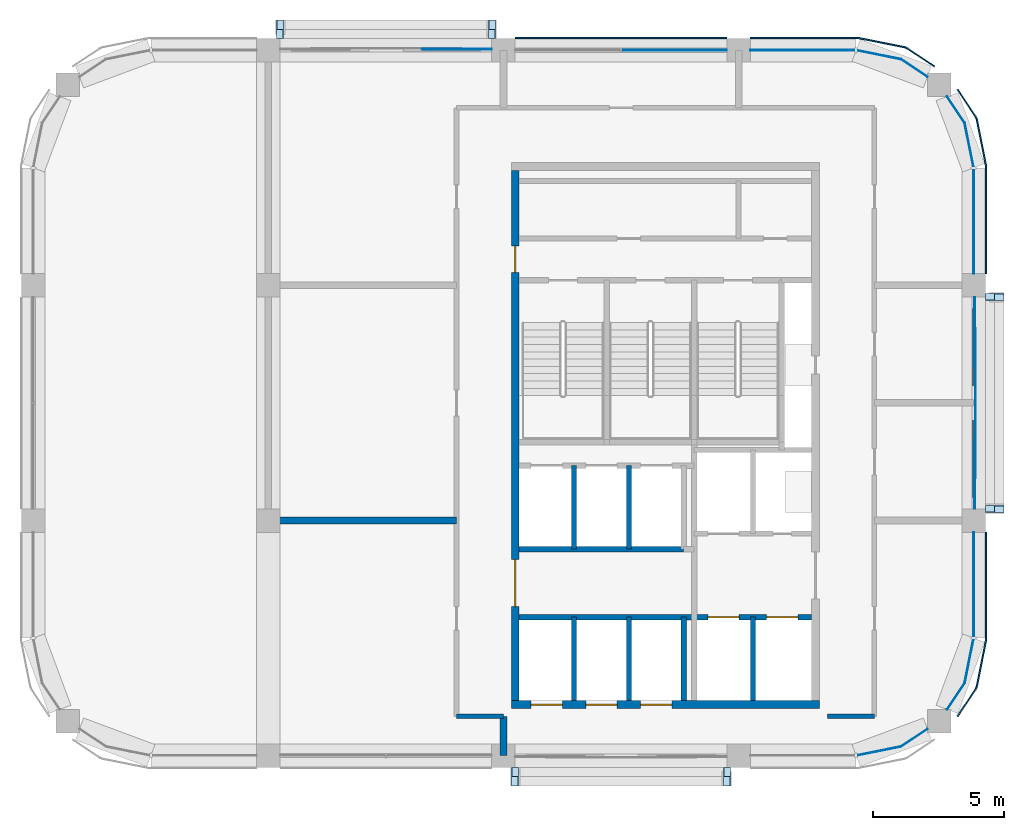
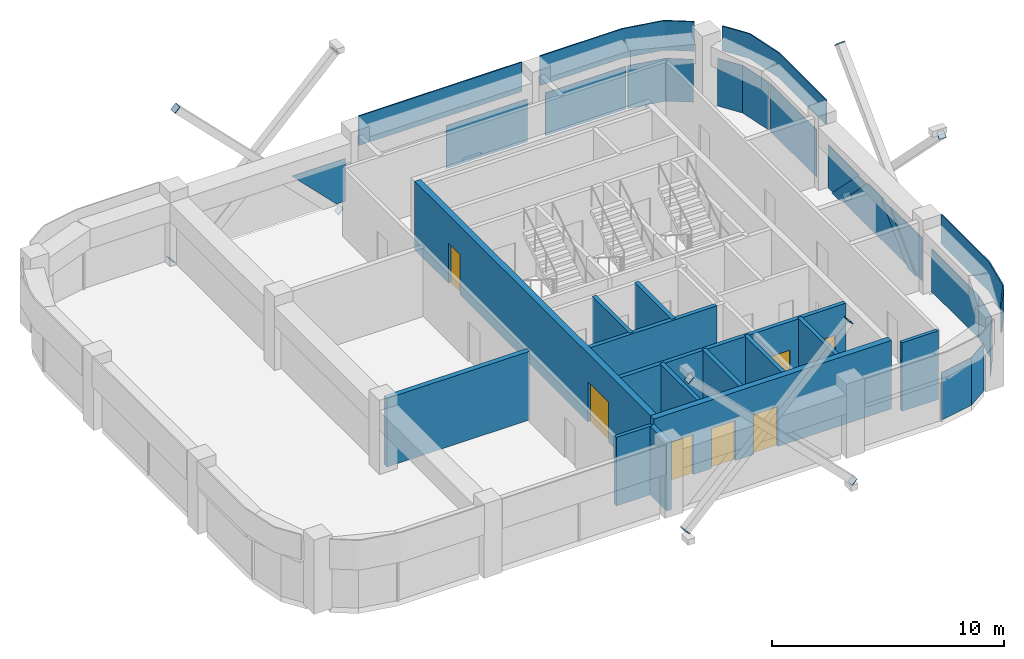
# One storey, part 6 of 9: 30 plates, 14 walls, 7 doors, 7 openings, 7 elements without a shape of their own.
"""IFC4 building model written with IfcOpenShell, lengths in metres."""

from ifc_helpers import new_model, si_unit, direction, frame, frame_2d, origin, origin_2d, place, context, subcontext, project, spatial, polyline, rectangle, outline, extrude, material, layer, layer_set, type_object, element, fill, aggregate, save


model = new_model("IFC4")

# Units and contexts
model_context = context("Model", 3, precision=1e-05, world=origin(), true_north=direction((0.0, 1.0)))
body_context = subcontext(model_context, "Body", "Model", "MODEL_VIEW")
ifc_project = project(units=[si_unit("LENGTHUNIT", "METRE"), si_unit("AREAUNIT", "SQUARE_METRE"), si_unit("VOLUMEUNIT", "CUBIC_METRE"), si_unit("PLANEANGLEUNIT", "RADIAN"), si_unit("MASSUNIT", "GRAM", prefix="KILO")], contexts=[model_context])

# Site, building, storey
site_placement = place(None, origin())
site = spatial("IfcSite", under=ifc_project, at=site_placement, CompositionType="ELEMENT")
building_placement = place(site_placement, origin())
building = spatial("IfcBuilding", under=site, at=building_placement, Name="Tessera Arch", CompositionType="ELEMENT")
storey_placement = place(building_placement, frame((0.0, 0.0, 316.800048828125)))
storey = spatial("IfcBuildingStorey", under=building, at=storey_placement, Name="L76", CompositionType="ELEMENT", Elevation=316.800048828125)

# Curtain wall, plates
ifc_material_1 = material(Name="CW1 curtain wall")
curtain_wall_type_1 = type_object("IfcCurtainWallType", Name="CW1 curtain wall", PredefinedType="NOTDEFINED", material=ifc_material_1)
curtain_wall_1_placement = place(storey_placement, origin())
curtain_wall_1 = element("IfcCurtainWall", 1, at=curtain_wall_1_placement, inside=storey, type_object=curtain_wall_type_1, Name="CW1 curtain wall N54.18/1 L76", PredefinedType="NOTDEFINED")
ifc_material_2 = material(Name="Clear low-e glass", Category="glass")
ifc_material_3 = material(Name="Clear low-e glass", Category="glass")
ifc_layer_1 = layer(ifc_material_3, 0.028076171875)
ifc_layer_set_1 = layer_set([ifc_layer_1], Name="CW1 glass panel")
plate_type_1 = type_object("IfcPlateType", Name="CW1 glass panel", PredefinedType="CURTAIN_PANEL", material=ifc_layer_set_1)
plate_1_placement = place(storey_placement, frame((42.5400390625, 54.0, 0.0), z_axis=(0.0, 0.0, 1.0), x_axis=(-1.0, 0.0, 0.0)))
plate_1 = element("IfcPlate", 2, at=plate_1_placement, type_object=plate_type_1, material=ifc_material_2, Name="CW1 glass panel N54.18/1 1.1.1", PredefinedType="CURTAIN_PANEL", context=body_context, shape_type="SweptSolid", body=[
    extrude(rectangle(XDim=4.02001953125, YDim=0.028076171875, at=origin_2d()), origin(), (0.0, 0.0, 1.0), 2.25),
])
ifc_material_4 = material(Name="Pale anodised aluminium panel", Category="aluminium")
ifc_layer_2 = layer(ifc_material_4, 0.06005859375)
ifc_layer_set_2 = layer_set([ifc_layer_2], Name="CW1 spandrel panel")
plate_type_2 = type_object("IfcPlateType", Name="CW1 spandrel panel", PredefinedType="CURTAIN_PANEL", material=ifc_layer_set_2)
plate_2_placement = place(storey_placement, frame((40.5, 54.47998046875, 2.35009765625), z_axis=(0.0, 0.0, 1.0), x_axis=(-1.0, 0.0, 0.0)))
plate_2 = element("IfcPlate", 3, at=plate_2_placement, type_object=plate_type_2, Name="CW1 spandrel panel N54.18/1", PredefinedType="CURTAIN_PANEL", context=body_context, shape_type="SweptSolid", body=[
    extrude(rectangle(XDim=8.10009765625, YDim=0.06005859375, at=origin_2d()), origin(), (0.0, 0.0, 1.0), 1.550048828125),
])
aggregate(curtain_wall_1, [plate_1, plate_2])

ifc_material_5 = material(Name="CW2 curtain wall")
curtain_wall_type_2 = type_object("IfcCurtainWallType", Name="CW2 curtain wall", PredefinedType="NOTDEFINED", material=ifc_material_5)
curtain_wall_2_placement = place(storey_placement, origin())
curtain_wall_2 = element("IfcCurtainWall", 4, at=curtain_wall_2_placement, inside=storey, type_object=curtain_wall_type_2, Name="CW2 curtain wall E54.27/1 L76", PredefinedType="NOTDEFINED")
ifc_material_6 = material(Name="Clear low-e glass", Category="glass")
ifc_layer_3 = layer(ifc_material_6, 0.028076171875)
ifc_layer_set_3 = layer_set([ifc_layer_3], Name="CW2 glass panel")
plate_type_3 = type_object("IfcPlateType", Name="CW2 glass panel", PredefinedType="CURTAIN_PANEL", material=ifc_layer_set_3)
plate_3_placement = place(storey_placement, frame((54.0, 47.455078125, 0.0), z_axis=(0.0, 0.0, 1.0), x_axis=(0.0, 1.0, 0.0)))
plate_3 = element("IfcPlate", 5, at=plate_3_placement, type_object=plate_type_3, material=ifc_material_2, Name="CW2 glass panel E54.27/1 1.1", PredefinedType="CURTAIN_PANEL", context=body_context, shape_type="SweptSolid", body=[
    extrude(rectangle(XDim=4.010009765625, YDim=0.028076171875, at=origin_2d()), origin(), (0.0, 0.0, 1.0), 2.5),
])
plate_4_placement = place(storey_placement, origin())
plate_4 = element("IfcPlate", 6, at=plate_4_placement, type_object=plate_type_3, material=ifc_material_2, Name="CW2 curved glass panel E54.27/1 2.1", PredefinedType="CURTAIN_PANEL", context=body_context, shape_type="SweptSolid", body=[
    extrude(outline(polyline([(53.644287109375, 51.216552734375), (53.978515625, 49.53662109375), (54.005859375, 49.5419921875), (53.670654296875, 51.2275390625), (52.994384765625, 52.23974609375), (52.970947265625, 52.22412109375), (53.644287109375, 51.216552734375)])), origin(), (0.0, 0.0, 1.0), 2.5),
])

curtain_wall_3_placement = place(storey_placement, origin())
curtain_wall_3 = element("IfcCurtainWall", 7, at=curtain_wall_3_placement, inside=storey, type_object=curtain_wall_type_2, Name="CW2 curtain wall N54.18/0 L76", PredefinedType="NOTDEFINED")
plate_5_placement = place(storey_placement, frame((47.455078125, 54.0, 0.0), z_axis=(0.0, 0.0, 1.0), x_axis=(-1.0, 0.0, 0.0)))
plate_5 = element("IfcPlate", 8, at=plate_5_placement, type_object=plate_type_3, material=ifc_material_2, Name="CW2 glass panel N54.18/0 1.1", PredefinedType="CURTAIN_PANEL", context=body_context, shape_type="SweptSolid", body=[
    extrude(rectangle(XDim=4.010009765625, YDim=0.028076171875, at=origin_2d()), origin(), (0.0, 0.0, 1.0), 2.25),
])
plate_6_placement = place(storey_placement, origin())
plate_6 = element("IfcPlate", 9, at=plate_6_placement, type_object=plate_type_3, material=ifc_material_2, Name="CW2 curved glass panel N54.18/0 2.1", PredefinedType="CURTAIN_PANEL", context=body_context, shape_type="SweptSolid", body=[
    extrude(outline(polyline([(51.216552734375, 53.644287109375), (52.22412109375, 52.970947265625), (52.23974609375, 52.994384765625), (51.2275390625, 53.670654296875), (49.5419921875, 54.005859375), (49.53662109375, 53.978515625), (51.216552734375, 53.644287109375)])), origin(), (0.0, 0.0, 1.0), 2.25),
])

# Curtain wall, plate
curtain_wall_4_placement = place(storey_placement, origin())
curtain_wall_4 = element("IfcCurtainWall", 10, at=curtain_wall_4_placement, inside=storey, type_object=curtain_wall_type_2, Name="CW2 curtain wall S27.18/3 L76", PredefinedType="NOTDEFINED")
plate_7_placement = place(storey_placement, origin())
plate_7 = element("IfcPlate", 11, at=plate_7_placement, type_object=plate_type_3, material=ifc_material_2, Name="CW2 curved glass panel S27.18/3 2.1", PredefinedType="CURTAIN_PANEL", context=body_context, shape_type="SweptSolid", body=[
    extrude(outline(polyline([(51.216552734375, 27.355712890625), (49.53662109375, 27.021484375), (49.5419921875, 26.994140625), (51.2275390625, 27.329345703125), (52.23974609375, 28.005615234375), (52.22412109375, 28.029052734375), (51.216552734375, 27.355712890625)])), origin(), (0.0, 0.0, 1.0), 2.5),
])
aggregate(curtain_wall_4, [plate_7])

# Curtain wall, plates
curtain_wall_5_placement = place(storey_placement, origin())
curtain_wall_5 = element("IfcCurtainWall", 12, at=curtain_wall_5_placement, inside=storey, type_object=curtain_wall_type_2, Name="CW2 curtain wall E54.27/2 L76", PredefinedType="NOTDEFINED")
plate_8_placement = place(storey_placement, frame((54.0, 33.544921875, 0.0), z_axis=(0.0, 0.0, 1.0), x_axis=(0.0, 1.0, 0.0)))
plate_8 = element("IfcPlate", 13, at=plate_8_placement, type_object=plate_type_3, material=ifc_material_2, Name="CW2 glass panel E54.27/2 1.1", PredefinedType="CURTAIN_PANEL", context=body_context, shape_type="SweptSolid", body=[
    extrude(rectangle(XDim=4.010009765625, YDim=0.028076171875, at=origin_2d()), origin(), (0.0, 0.0, 1.0), 2.25),
])
plate_9_placement = place(storey_placement, origin())
plate_9 = element("IfcPlate", 14, at=plate_9_placement, type_object=plate_type_3, material=ifc_material_2, Name="CW2 curved glass panel E54.27/2 2.1", PredefinedType="CURTAIN_PANEL", context=body_context, shape_type="SweptSolid", body=[
    extrude(outline(polyline([(53.644287109375, 29.783447265625), (52.970947265625, 28.77587890625), (52.994384765625, 28.76025390625), (53.670654296875, 29.7724609375), (54.005859375, 31.4580078125), (53.978515625, 31.46337890625), (53.644287109375, 29.783447265625)])), origin(), (0.0, 0.0, 1.0), 2.25),
])

# Plate
ifc_material_7 = material(Name="Pale anodised aluminium panel", Category="aluminium")
ifc_layer_4 = layer(ifc_material_7, 0.06005859375)
ifc_layer_set_4 = layer_set([ifc_layer_4], Name="CW2 spandrel panel")
plate_type_4 = type_object("IfcPlateType", Name="CW2 spandrel panel", PredefinedType="CURTAIN_PANEL", material=ifc_layer_set_4)
plate_10_placement = place(storey_placement, frame((0.0, 0.0, 2.599853515625)))
plate_10 = element("IfcPlate", 15, at=plate_10_placement, type_object=plate_type_4, Name="CW2 spandrel panel E54.27/1", PredefinedType="CURTAIN_PANEL", context=body_context, shape_type="SweptSolid", body=[
    extrude(outline(polyline([(54.449951171875, 49.499267578125), (54.449951171875, 45.449951171875), (54.510009765625, 45.449951171875), (54.510009765625, 49.500732421875), (54.507568359375, 49.550048828125), (54.500244140625, 49.598876953125), (54.157470703125, 51.322265625), (54.1455078125, 51.3701171875), (54.128662109375, 51.417236328125), (54.107421875, 51.462646484375), (54.08203125, 51.5048828125), (53.40673828125, 52.515380859375), (53.35693359375, 52.48193359375), (54.03125, 51.47265625), (54.054443359375, 51.434326171875), (54.0732421875, 51.394287109375), (54.088134765625, 51.352783203125), (54.09912109375, 51.30908203125), (54.441162109375, 49.588623046875), (54.44775390625, 49.544189453125), (54.449951171875, 49.499267578125)])), origin(), (0.0, 0.0, 1.0), 1.300048828125),
])

aggregate(curtain_wall_2, [plate_3, plate_4, plate_10])

plate_11_placement = place(storey_placement, frame((0.0, 0.0, 2.349853515625)))
plate_11 = element("IfcPlate", 16, at=plate_11_placement, type_object=plate_type_4, Name="CW2 spandrel panel N54.18/0", PredefinedType="CURTAIN_PANEL", context=body_context, shape_type="SweptSolid", body=[
    extrude(outline(polyline([(51.47265625, 54.03125), (52.48193359375, 53.35693359375), (52.515380859375, 53.40673828125), (51.5048828125, 54.08203125), (51.462646484375, 54.107421875), (51.417236328125, 54.128662109375), (51.3701171875, 54.1455078125), (51.322265625, 54.157470703125), (49.598876953125, 54.500244140625), (49.550048828125, 54.507568359375), (49.500732421875, 54.510009765625), (45.449951171875, 54.510009765625), (45.449951171875, 54.449951171875), (49.499267578125, 54.449951171875), (49.544189453125, 54.44775390625), (49.588623046875, 54.441162109375), (51.30908203125, 54.09912109375), (51.352783203125, 54.088134765625), (51.394287109375, 54.0732421875), (51.434326171875, 54.054443359375), (51.47265625, 54.03125)])), origin(), (0.0, 0.0, 1.0), 1.550048828125),
])

aggregate(curtain_wall_3, [plate_5, plate_6, plate_11])

plate_12_placement = place(storey_placement, frame((0.0, 0.0, 2.349853515625)))
plate_12 = element("IfcPlate", 17, at=plate_12_placement, type_object=plate_type_4, Name="CW2 spandrel panel E54.27/2", PredefinedType="CURTAIN_PANEL", context=body_context, shape_type="SweptSolid", body=[
    extrude(outline(polyline([(54.03125, 29.52734375), (53.35693359375, 28.51806640625), (53.40673828125, 28.484619140625), (54.08203125, 29.4951171875), (54.107421875, 29.537353515625), (54.128662109375, 29.582763671875), (54.1455078125, 29.6298828125), (54.157470703125, 29.677734375), (54.500244140625, 31.401123046875), (54.507568359375, 31.449951171875), (54.510009765625, 31.499267578125), (54.510009765625, 35.550048828125), (54.449951171875, 35.550048828125), (54.449951171875, 31.500732421875), (54.44775390625, 31.455810546875), (54.441162109375, 31.411376953125), (54.09912109375, 29.69091796875), (54.088134765625, 29.647216796875), (54.0732421875, 29.605712890625), (54.054443359375, 29.565673828125), (54.03125, 29.52734375)])), origin(), (0.0, 0.0, 1.0), 1.550048828125),
])

aggregate(curtain_wall_5, [plate_8, plate_9, plate_12])

# Curtain wall, plates
ifc_material_8 = material(Name="CW3 curtain wall")
curtain_wall_type_3 = type_object("IfcCurtainWallType", Name="CW3 curtain wall", PredefinedType="NOTDEFINED", material=ifc_material_8)
curtain_wall_6_placement = place(storey_placement, origin())
curtain_wall_6 = element("IfcCurtainWall", 18, at=curtain_wall_6_placement, inside=storey, type_object=curtain_wall_type_3, Name="CW3 curtain wall E54.27/0 L76", PredefinedType="NOTDEFINED")
ifc_material_9 = material(Name="Pale anodised aluminium panel", Category="aluminium")
ifc_layer_5 = layer(ifc_material_9, 0.06005859375)
ifc_layer_set_5 = layer_set([ifc_layer_5], Name="CW3 diagonal panel")
plate_type_5 = type_object("IfcPlateType", Name="CW3 diagonal panel", PredefinedType="CURTAIN_PANEL", material=ifc_layer_set_5)
plate_13_placement = place(storey_placement, frame((54.030029296875, 41.874755859375, 2.25), z_axis=(1.0, 0.0, 0.0), x_axis=(0.0, -1.0, 0.0)))
plate_13 = element("IfcPlate", 19, at=plate_13_placement, type_object=plate_type_5, Name="CW3 diagonal panel E54.27/0 1", PredefinedType="CURTAIN_PANEL", context=body_context, shape_type="SweptSolid", body=[
    extrude(outline(polyline([(0.0, 0.0), (0.7119140625, 0.0), (-1.524169921875, 2.25), (-2.236083984375, 2.25), (0.0, 0.0)])), origin(), (0.0, 0.0, -1.0), 0.06005859375),
])
plate_14_placement = place(storey_placement, frame((54.030029296875, 39.837158203125, 2.25), z_axis=(1.0, 0.0, 0.0), x_axis=(0.0, -1.0, 0.0)))
plate_14 = element("IfcPlate", 20, at=plate_14_placement, type_object=plate_type_5, Name="CW3 diagonal panel E54.27/0 2", PredefinedType="CURTAIN_PANEL", context=body_context, shape_type="SweptSolid", body=[
    extrude(outline(polyline([(0.0, 0.0), (0.7119140625, 0.0), (2.947998046875, 2.25), (2.236083984375, 2.25), (0.0, 0.0)])), origin(), (0.0, 0.0, -1.0), 0.06005859375),
])
ifc_material_10 = material(Name="Clear low-e glass", Category="glass")
ifc_layer_6 = layer(ifc_material_10, 0.028076171875)
ifc_layer_set_6 = layer_set([ifc_layer_6], Name="CW3 glass panel")
plate_type_6 = type_object("IfcPlateType", Name="CW3 glass panel", PredefinedType="CURTAIN_PANEL", material=ifc_layer_set_6)
plate_15_placement = place(storey_placement, frame((54.05810546875, 36.449951171875, 0.0), z_axis=(1.0, 0.0, 0.0), x_axis=(0.0, 1.0, 0.0)))
plate_15 = element("IfcPlate", 21, at=plate_15_placement, type_object=plate_type_6, material=ifc_material_2, Name="CW3 triangulated glass panel E54.27/0 1", PredefinedType="CURTAIN_PANEL", context=body_context, shape_type="SweptSolid", body=[
    extrude(outline(polyline([(0.0, 0.0), (0.439208984375, 0.0), (2.67529296875, 2.25), (0.0, 2.25), (0.0, 0.0)])), origin(), (0.0, 0.0, -1.0), 0.028076171875),
])
plate_16_placement = place(storey_placement, frame((54.0859375, 41.162841796875, 2.25), z_axis=(1.0, 0.0, 0.0), x_axis=(0.0, -1.0, 0.0)))
plate_16 = element("IfcPlate", 22, at=plate_16_placement, type_object=plate_type_6, material=ifc_material_2, Name="CW3 triangulated glass panel E54.27/0 2", PredefinedType="CURTAIN_PANEL", context=body_context, shape_type="SweptSolid", body=[
    extrude(outline(polyline([(0.0, 0.0), (1.32568359375, 0.0), (3.561767578125, 2.25), (-2.236083984375, 2.25), (0.0, 0.0)])), origin(), (0.0, 0.0, -1.0), 0.028076171875),
])
plate_17_placement = place(storey_placement, frame((54.05810546875, 44.550048828125, 2.25), z_axis=(1.0, 0.0, 0.0), x_axis=(0.0, -1.0, 0.0)))
plate_17 = element("IfcPlate", 23, at=plate_17_placement, type_object=plate_type_6, material=ifc_material_2, Name="CW3 triangulated glass panel E54.27/0 3", PredefinedType="CURTAIN_PANEL", context=body_context, shape_type="SweptSolid", body=[
    extrude(outline(polyline([(0.0, 0.0), (2.67529296875, 0.0), (0.439208984375, 2.25), (0.0, 2.25), (0.0, 0.0)])), origin(), (0.0, 0.0, -1.0), 0.028076171875),
])
aggregate(curtain_wall_6, [plate_15, plate_16, plate_17, plate_13, plate_14])

# Curtain wall, plate
curtain_wall_7_placement = place(storey_placement, origin())
curtain_wall_7 = element("IfcCurtainWall", 24, at=curtain_wall_7_placement, inside=storey, type_object=curtain_wall_type_3, Name="CW3 curtain wall N54.18/2 L76", PredefinedType="NOTDEFINED")
plate_18_placement = place(storey_placement, frame((35.550048828125, 54.05810546875, 0.0), z_axis=(0.0, 1.0, 0.0), x_axis=(-1.0, 0.0, 0.0)))
plate_18 = element("IfcPlate", 25, at=plate_18_placement, type_object=plate_type_6, material=ifc_material_2, Name="CW3 triangulated glass panel N54.18/2 1", PredefinedType="CURTAIN_PANEL", context=body_context, shape_type="SweptSolid", body=[
    extrude(outline(polyline([(0.0, 0.0), (0.439208984375, 0.0), (2.67529296875, 2.25), (0.0, 2.25), (0.0, 0.0)])), origin(), (0.0, 0.0, -1.0), 0.028076171875),
])
aggregate(curtain_wall_7, [plate_18])

# Plates
ifc_material_11 = material(Name="Steel A572 Gr50", Category="steel")
ifc_layer_7 = layer(ifc_material_11, 0.02490234375)
ifc_layer_set_7 = layer_set([ifc_layer_7], Name="End plate HSS14x14x1/2")
plate_type_7 = type_object("IfcPlateType", Name="End plate HSS14x14x1/2", PredefinedType="SHEET", material=ifc_layer_set_7)
for number, where, z_axis, x_axis, name in (
    (26, (54.627685546875, 36.432373046875, -0.81787109375), (0.0, 0.702213483406, 0.711966448453), (-1.0, 0.0, 0.0), "End plate HSS14x14x1/2 E54.27-0 A1 L76"),
    (27, (54.627685546875, 44.550048828125, 7.349853515625), (0.0, 0.702213483406, 0.711966448453), (-1.0, 0.0, 0.0), "End plate HSS14x14x1/2 E54.27-0 A2 L76"),
    (28, (54.9833984375, 44.567626953125, -0.81787109375), (0.0, -0.702213483406, 0.711966448453), (1.0, 0.0, 0.0), "End plate HSS14x14x1/2 E54.27-0 B1 L76"),
    (29, (54.9833984375, 36.449951171875, 7.349853515625), (0.0, -0.702213483406, 0.711966448453), (1.0, 0.0, 0.0), "End plate HSS14x14x1/2 E54.27-0 B2 L76"),
    (30, (35.567626953125, 54.627685546875, -0.81787109375), (-0.702213483406, 0.0, 0.711966448453), (0.0, -1.0, 0.0), "End plate HSS14x14x1/2 N54.18-2 A1 L76"),
    (31, (27.449951171875, 54.627685546875, 7.349853515625), (-0.702213483406, 0.0, 0.711966448453), (0.0, -1.0, 0.0), "End plate HSS14x14x1/2 N54.18-2 A2 L76"),
    (32, (27.432373046875, 54.9833984375, -0.81787109375), (0.702213483406, 0.0, 0.711966448453), (0.0, 1.0, 0.0), "End plate HSS14x14x1/2 N54.18-2 B1 L76"),
    (33, (35.550048828125, 54.9833984375, 7.349853515625), (0.702213483406, 0.0, 0.711966448453), (0.0, 1.0, 0.0), "End plate HSS14x14x1/2 N54.18-2 B2 L76"),
    (34, (36.432373046875, 26.372314453125, -0.81787109375), (0.702213483406, 0.0, 0.711966448453), (0.0, 1.0, 0.0), "End plate HSS14x14x1/2 S27.18-2 A1 L76"),
    (35, (44.550048828125, 26.372314453125, 7.349853515625), (0.702213483406, 0.0, 0.711966448453), (0.0, 1.0, 0.0), "End plate HSS14x14x1/2 S27.18-2 A2 L76"),
    (36, (44.567626953125, 26.0166015625, -0.81787109375), (-0.702213483406, 0.0, 0.711966448453), (0.0, -1.0, 0.0), "End plate HSS14x14x1/2 S27.18-2 B1 L76"),
    (37, (36.449951171875, 26.0166015625, 7.349853515625), (-0.702213483406, 0.0, 0.711966448453), (0.0, -1.0, 0.0), "End plate HSS14x14x1/2 S27.18-2 B2 L76"),
):
    element("IfcPlate", number, at=place(storey_placement, frame(where, z_axis=z_axis, x_axis=x_axis)), inside=storey, type_object=plate_type_7, Name=name, PredefinedType="SHEET", context=body_context, shape_type="SweptSolid", body=[
        extrude(rectangle(XDim=0.355712890625, YDim=0.355712890625, at=origin_2d()), origin(), (0.0, 0.0, 1.0), 0.025146484375),
    ])

# Wall, openings, doors
ifc_material_12 = material(Name="Concrete C50/60", Category="concrete")
ifc_layer_8 = layer(ifc_material_12, 0.300048828125)
ifc_layer_set_8 = layer_set([ifc_layer_8], Name="Core shell wall 300 C50-60")
wall_type_1 = type_object("IfcWallType", Name="Core shell wall 300 C50-60", PredefinedType="SHEAR", material=ifc_layer_set_8)
wall_1_placement = place(storey_placement, frame((36.300048828125, 28.949951171875, 0.0), z_axis=(0.0, 0.0, 1.0), x_axis=(1.0, 0.0, 0.0)))
wall_1 = element("IfcWall", 38, at=wall_1_placement, inside=storey, type_object=wall_type_1, Name="L76 C1 core wall S", PredefinedType="SHEAR", context=body_context, shape_type="SweptSolid", body=[
    extrude(rectangle(XDim=11.800048828125, YDim=0.300048828125, at=frame_2d((5.89990234375, 0.0))), origin(), (0.0, 0.0, 1.0), 3.599853515625),
])
opening_1_placement = place(wall_1_placement, frame((0.75, 0.0, 0.0)))
opening_1 = element("IfcOpeningElement", 39, at=opening_1_placement, cuts=wall_1, Name="Opening L76-C01", PredefinedType="OPENING", context=body_context, shape_type="SweptSolid", body=[
    extrude(rectangle(XDim=1.199951171875, YDim=2.10009765625, at=frame_2d((0.60009765625, 1.050048828125))), frame((0.0, 0.159912109375, 0.0), z_axis=(0.0, -1.0, 0.0), x_axis=(1.0, 0.0, 0.0)), (0.0, 0.0, 1.0), 0.320068359375),
])
opening_2_placement = place(wall_1_placement, frame((2.85009765625, 0.0, 0.0)))
opening_2 = element("IfcOpeningElement", 40, at=opening_2_placement, cuts=wall_1, Name="Opening L76-C03", PredefinedType="OPENING", context=body_context, shape_type="SweptSolid", body=[
    extrude(rectangle(XDim=1.199951171875, YDim=2.10009765625, at=frame_2d((0.60009765625, 1.050048828125))), frame((0.0, 0.159912109375, 0.0), z_axis=(0.0, -1.0, 0.0), x_axis=(1.0, 0.0, 0.0)), (0.0, 0.0, 1.0), 0.320068359375),
])
opening_3_placement = place(wall_1_placement, frame((4.949951171875, 0.0, 0.0)))
opening_3 = element("IfcOpeningElement", 41, at=opening_3_placement, cuts=wall_1, Name="Opening L76-C05", PredefinedType="OPENING", context=body_context, shape_type="SweptSolid", body=[
    extrude(rectangle(XDim=1.199951171875, YDim=2.10009765625, at=frame_2d((0.60009765625, 1.050048828125))), frame((0.0, 0.159912109375, 0.0), z_axis=(0.0, -1.0, 0.0), x_axis=(1.0, 0.0, 0.0)), (0.0, 0.0, 1.0), 0.320068359375),
])
ifc_material_13 = material(Name="Stainless steel AISI 304", Category="steel")
door_type_1 = type_object("IfcDoorType", Name="Sliding landing door 1200 x 2100", OperationType="SLIDING_TO_LEFT", PredefinedType="DOOR", material=ifc_material_13)
door_1_placement = place(opening_1_placement, origin())
door_1 = element("IfcDoor", 42, at=door_1_placement, inside=storey, type_object=door_type_1, Name="L76 HR1 lift landing door C01 type LD", OperationType="SLIDING_TO_LEFT", OverallHeight=2.10009765625, OverallWidth=1.199951171875, PredefinedType="DOOR", context=body_context, shape_type="SweptSolid", body=[
    extrude(rectangle(XDim=1.199951171875, YDim=2.10009765625, at=frame_2d((0.60009765625, 1.050048828125))), frame((0.0, 0.02490234375, 0.0), z_axis=(0.0, -1.0, 0.0), x_axis=(1.0, 0.0, 0.0)), (0.0, 0.0, 1.0), 0.050048828125),
])
fill(opening_1, door_1)
door_2_placement = place(opening_2_placement, origin())
door_2 = element("IfcDoor", 43, at=door_2_placement, inside=storey, type_object=door_type_1, Name="L76 HR2 lift landing door C03 type LD", OperationType="SLIDING_TO_LEFT", OverallHeight=2.10009765625, OverallWidth=1.199951171875, PredefinedType="DOOR", context=body_context, shape_type="SweptSolid", body=[
    extrude(rectangle(XDim=1.199951171875, YDim=2.10009765625, at=frame_2d((0.60009765625, 1.050048828125))), frame((0.0, 0.02490234375, 0.0), z_axis=(0.0, -1.0, 0.0), x_axis=(1.0, 0.0, 0.0)), (0.0, 0.0, 1.0), 0.050048828125),
])
fill(opening_2, door_2)
door_3_placement = place(opening_3_placement, origin())
door_3 = element("IfcDoor", 44, at=door_3_placement, inside=storey, type_object=door_type_1, Name="L76 HR3 lift landing door C05 type LD", OperationType="SLIDING_TO_LEFT", OverallHeight=2.10009765625, OverallWidth=1.199951171875, PredefinedType="DOOR", context=body_context, shape_type="SweptSolid", body=[
    extrude(rectangle(XDim=1.199951171875, YDim=2.10009765625, at=frame_2d((0.60009765625, 1.050048828125))), frame((0.0, 0.02490234375, 0.0), z_axis=(0.0, -1.0, 0.0), x_axis=(1.0, 0.0, 0.0)), (0.0, 0.0, 1.0), 0.050048828125),
])
fill(opening_3, door_3)

wall_2_placement = place(storey_placement, frame((36.449951171875, 29.10009765625, 0.0), z_axis=(0.0, 0.0, 1.0), x_axis=(0.0, 1.0, 0.0)))
wall_2 = element("IfcWall", 45, at=wall_2_placement, inside=storey, type_object=wall_type_1, Name="L76 C1 core wall W", PredefinedType="SHEAR", context=body_context, shape_type="SweptSolid", body=[
    extrude(rectangle(XDim=20.2998046875, YDim=0.300048828125, at=frame_2d((10.14990234375, 0.0))), origin(), (0.0, 0.0, 1.0), 3.599853515625),
])
opening_4_placement = place(wall_2_placement, frame((3.60009765625, 0.0, 0.0)))
opening_4 = element("IfcOpeningElement", 46, at=opening_4_placement, cuts=wall_2, Name="Opening L76-C10", PredefinedType="OPENING", context=body_context, shape_type="SweptSolid", body=[
    extrude(rectangle(XDim=1.800048828125, YDim=2.10009765625, at=frame_2d((0.89990234375, 1.050048828125))), frame((0.0, 0.159912109375, 0.0), z_axis=(0.0, -1.0, 0.0), x_axis=(1.0, 0.0, 0.0)), (0.0, 0.0, 1.0), 0.320068359375),
])
opening_5_placement = place(wall_2_placement, frame((16.39990234375, 0.0, 0.0)))
opening_5 = element("IfcOpeningElement", 47, at=opening_5_placement, cuts=wall_2, Name="Opening L76-C17", PredefinedType="OPENING", context=body_context, shape_type="SweptSolid", body=[
    extrude(rectangle(XDim=1.0, YDim=2.10009765625, at=frame_2d((0.5, 1.050048828125))), frame((0.0, 0.159912109375, 0.0), z_axis=(0.0, -1.0, 0.0), x_axis=(1.0, 0.0, 0.0)), (0.0, 0.0, 1.0), 0.320068359375),
])
ifc_material_14 = material(Name="Steel door leaf", Category="steel")
door_type_2 = type_object("IfcDoorType", Name="Corridor door FD60 1000 x 2100", OperationType="SINGLE_SWING_LEFT", PredefinedType="DOOR", material=ifc_material_14)
door_4_placement = place(opening_5_placement, origin())
door_4 = element("IfcDoor", 48, at=door_4_placement, inside=storey, type_object=door_type_2, Name="L76 C1 door 17 C17 type D12", OperationType="SINGLE_SWING_RIGHT", OverallHeight=2.10009765625, OverallWidth=1.0, PredefinedType="DOOR", context=body_context, shape_type="SweptSolid", body=[
    extrude(rectangle(XDim=1.0, YDim=2.10009765625, at=frame_2d((0.5, 1.050048828125))), frame((0.0, 0.02490234375, 0.0), z_axis=(0.0, -1.0, 0.0), x_axis=(1.0, 0.0, 0.0)), (0.0, 0.0, 1.0), 0.050048828125),
])
fill(opening_5, door_4)
ifc_material_15 = material(Name="Glazed steel door leaf", Category="steel")
door_type_3 = type_object("IfcDoorType", Name="Lobby double door FD30S 1800 x 2100", OperationType="DOUBLE_DOOR_SINGLE_SWING", PredefinedType="DOOR", material=ifc_material_15)
door_5_placement = place(opening_4_placement, origin())
door_5 = element("IfcDoor", 49, at=door_5_placement, inside=storey, type_object=door_type_3, Name="L76 C1 door 10 C10 type D06", OperationType="DOUBLE_DOOR_SINGLE_SWING", OverallHeight=2.10009765625, OverallWidth=1.800048828125, PredefinedType="DOOR", context=body_context, shape_type="SweptSolid", body=[
    extrude(rectangle(XDim=1.800048828125, YDim=2.10009765625, at=frame_2d((0.89990234375, 1.050048828125))), frame((0.0, 0.02490234375, 0.0), z_axis=(0.0, -1.0, 0.0), x_axis=(1.0, 0.0, 0.0)), (0.0, 0.0, 1.0), 0.050048828125),
])
fill(opening_4, door_5)

# Walls
ifc_material_16 = material(Name="Gypsum board on deep steel stud with mineral wool", Category="steel")
ifc_layer_9 = layer(ifc_material_16, 0.175048828125)
ifc_layer_set_9 = layer_set([ifc_layer_9], Name="Corridor wall 175 EI 60")
wall_type_2 = type_object("IfcWallType", Name="Corridor wall 175 EI 60", PredefinedType="PARTITIONING", material=ifc_layer_set_9)
for number, where, z_axis, x_axis, name in (
    (50, (34.199951171875, 28.5, 0.0), (0.0, 0.0, 1.0), (1.0, 0.0, 0.0), "L76 partition 1"),
    (51, (48.39990234375, 28.5, 0.0), (0.0, 0.0, 1.0), (1.0, 0.0, 0.0), "L76 partition 2"),
):
    element("IfcWall", number, at=place(storey_placement, frame(where, z_axis=z_axis, x_axis=x_axis)), inside=storey, type_object=wall_type_2, Name=name, PredefinedType="PARTITIONING", context=body_context, shape_type="SweptSolid", body=[
        extrude(rectangle(XDim=1.800048828125, YDim=0.175048828125, at=frame_2d((0.89990234375, 0.0))), origin(), (0.0, 0.0, 1.0), 3.599853515625),
    ])
ifc_material_17 = material(Name="Double gypsum board on twin steel stud with acoustic mineral wool", Category="steel")
ifc_layer_10 = layer(ifc_material_17, 0.25)
ifc_layer_set_10 = layer_set([ifc_layer_10], Name="Party wall 250 EI 60")
wall_type_3 = type_object("IfcWallType", Name="Party wall 250 EI 60", PredefinedType="PARTITIONING", material=ifc_layer_set_10)
wall_3_placement = place(storey_placement, frame((27.125, 36.0, 0.0), z_axis=(0.0, 0.0, 1.0), x_axis=(1.0, 0.0, 0.0)))
element("IfcWall", 52, at=wall_3_placement, inside=storey, type_object=wall_type_3, Name="L76 partition 6", PredefinedType="PARTITIONING", context=body_context, shape_type="SweptSolid", body=[
    extrude(rectangle(XDim=7.074951171875, YDim=0.25, at=frame_2d((3.53759765625, 0.0))), origin(), (0.0, 0.0, 1.0), 3.599853515625),
])
wall_4_placement = place(storey_placement, frame((36.0, 27.0, 0.0), z_axis=(0.0, 0.0, 1.0), x_axis=(0.0, 1.0, 0.0)))
element("IfcWall", 53, at=wall_4_placement, inside=storey, type_object=wall_type_3, Name="L76 partition 12", PredefinedType="PARTITIONING", context=body_context, shape_type="SweptSolid", body=[
    extrude(rectangle(XDim=1.5, YDim=0.25, at=frame_2d((0.75, 0.0))), origin(), (0.0, 0.0, 1.0), 3.599853515625),
])
ifc_material_18 = material(Name="Concrete C40/50", Category="concrete")
ifc_layer_11 = layer(ifc_material_18, 0.199951171875)
ifc_layer_set_11 = layer_set([ifc_layer_11], Name="Shaft wall 200 EI 120")
wall_type_4 = type_object("IfcWallType", Name="Shaft wall 200 EI 120", PredefinedType="SOLIDWALL", material=ifc_layer_set_11)
wall_5_placement = place(storey_placement, frame((38.699951171875, 29.10009765625, 0.0), z_axis=(0.0, 0.0, 1.0), x_axis=(0.0, 1.0, 0.0)))
element("IfcWall", 54, at=wall_5_placement, inside=storey, type_object=wall_type_4, Name="L76 C1 shaft wall 1", PredefinedType="SOLIDWALL", context=body_context, shape_type="SweptSolid", body=[
    extrude(rectangle(XDim=3.199951171875, YDim=0.199951171875, at=frame_2d((1.60009765625, 0.0))), origin(), (0.0, 0.0, 1.0), 3.599853515625),
])
wall_6_placement = place(storey_placement, frame((38.699951171875, 34.89990234375, 0.0), z_axis=(0.0, 0.0, 1.0), x_axis=(0.0, 1.0, 0.0)))
element("IfcWall", 55, at=wall_6_placement, inside=storey, type_object=wall_type_4, Name="L76 C1 shaft wall 2", PredefinedType="SOLIDWALL", context=body_context, shape_type="SweptSolid", body=[
    extrude(rectangle(XDim=3.2001953125, YDim=0.199951171875, at=frame_2d((1.60009765625, 0.0))), origin(), (0.0, 0.0, 1.0), 3.599853515625),
])
wall_7_placement = place(storey_placement, frame((40.800048828125, 29.10009765625, 0.0), z_axis=(0.0, 0.0, 1.0), x_axis=(0.0, 1.0, 0.0)))
element("IfcWall", 56, at=wall_7_placement, inside=storey, type_object=wall_type_4, Name="L76 C1 shaft wall 5", PredefinedType="SOLIDWALL", context=body_context, shape_type="SweptSolid", body=[
    extrude(rectangle(XDim=3.199951171875, YDim=0.199951171875, at=frame_2d((1.60009765625, 0.0))), origin(), (0.0, 0.0, 1.0), 3.599853515625),
])
wall_8_placement = place(storey_placement, frame((40.800048828125, 34.89990234375, 0.0), z_axis=(0.0, 0.0, 1.0), x_axis=(0.0, 1.0, 0.0)))
element("IfcWall", 57, at=wall_8_placement, inside=storey, type_object=wall_type_4, Name="L76 C1 shaft wall 6", PredefinedType="SOLIDWALL", context=body_context, shape_type="SweptSolid", body=[
    extrude(rectangle(XDim=3.2001953125, YDim=0.199951171875, at=frame_2d((1.60009765625, 0.0))), origin(), (0.0, 0.0, 1.0), 3.599853515625),
])
for number, where, z_axis, x_axis, name in (
    (58, (42.89990234375, 29.10009765625, 0.0), (0.0, 0.0, 1.0), (0.0, 1.0, 0.0), "L76 C1 shaft wall 7"),
    (59, (45.550048828125, 29.10009765625, 0.0), (0.0, 0.0, 1.0), (0.0, 1.0, 0.0), "L76 C1 shaft wall 13"),
):
    element("IfcWall", number, at=place(storey_placement, frame(where, z_axis=z_axis, x_axis=x_axis)), inside=storey, type_object=wall_type_4, Name=name, PredefinedType="SOLIDWALL", context=body_context, shape_type="SweptSolid", body=[
        extrude(rectangle(XDim=3.199951171875, YDim=0.199951171875, at=frame_2d((1.60009765625, 0.0))), origin(), (0.0, 0.0, 1.0), 3.599853515625),
    ])

# Wall, openings, doors
wall_9_placement = place(storey_placement, frame((36.60009765625, 32.300048828125, 0.0), z_axis=(0.0, 0.0, 1.0), x_axis=(1.0, 0.0, 0.0)))
wall_9 = element("IfcWall", 60, at=wall_9_placement, inside=storey, type_object=wall_type_4, Name="L76 C1 shaft wall 18", PredefinedType="SOLIDWALL", context=body_context, shape_type="SweptSolid", body=[
    extrude(rectangle(XDim=11.199951171875, YDim=0.199951171875, at=frame_2d((5.60009765625, 0.0))), origin(), (0.0, 0.0, 1.0), 3.599853515625),
])
opening_6_placement = place(wall_9_placement, frame((7.22509765625, 0.0, 0.0)))
opening_6 = element("IfcOpeningElement", 61, at=opening_6_placement, cuts=wall_9, Name="Opening L76-C07", PredefinedType="OPENING", context=body_context, shape_type="SweptSolid", body=[
    extrude(rectangle(XDim=1.199951171875, YDim=2.10009765625, at=frame_2d((0.60009765625, 1.050048828125))), frame((0.0, 0.10986328125, 0.0), z_axis=(0.0, -1.0, 0.0), x_axis=(1.0, 0.0, 0.0)), (0.0, 0.0, 1.0), 0.219970703125),
])
opening_7_placement = place(wall_9_placement, frame((9.47509765625, 0.0, 0.0)))
opening_7 = element("IfcOpeningElement", 62, at=opening_7_placement, cuts=wall_9, Name="Opening L76-C08", PredefinedType="OPENING", context=body_context, shape_type="SweptSolid", body=[
    extrude(rectangle(XDim=1.199951171875, YDim=2.10009765625, at=frame_2d((0.60009765625, 1.050048828125))), frame((0.0, 0.10986328125, 0.0), z_axis=(0.0, -1.0, 0.0), x_axis=(1.0, 0.0, 0.0)), (0.0, 0.0, 1.0), 0.219970703125),
])
door_6_placement = place(opening_6_placement, origin())
door_6 = element("IfcDoor", 63, at=door_6_placement, inside=storey, type_object=door_type_1, Name="L76 FF1 lift landing door C07 type LD", OperationType="SLIDING_TO_LEFT", OverallHeight=2.10009765625, OverallWidth=1.199951171875, PredefinedType="DOOR", context=body_context, shape_type="SweptSolid", body=[
    extrude(rectangle(XDim=1.199951171875, YDim=2.10009765625, at=frame_2d((0.60009765625, 1.050048828125))), frame((0.0, 0.02490234375, 0.0), z_axis=(0.0, -1.0, 0.0), x_axis=(1.0, 0.0, 0.0)), (0.0, 0.0, 1.0), 0.050048828125),
])
fill(opening_6, door_6)
door_7_placement = place(opening_7_placement, origin())
door_7 = element("IfcDoor", 64, at=door_7_placement, inside=storey, type_object=door_type_1, Name="L76 FF2 lift landing door C08 type LD", OperationType="SLIDING_TO_LEFT", OverallHeight=2.10009765625, OverallWidth=1.199951171875, PredefinedType="DOOR", context=body_context, shape_type="SweptSolid", body=[
    extrude(rectangle(XDim=1.199951171875, YDim=2.10009765625, at=frame_2d((0.60009765625, 1.050048828125))), frame((0.0, 0.02490234375, 0.0), z_axis=(0.0, -1.0, 0.0), x_axis=(1.0, 0.0, 0.0)), (0.0, 0.0, 1.0), 0.050048828125),
])
fill(opening_7, door_7)

# Wall
wall_10_placement = place(storey_placement, frame((36.60009765625, 34.89990234375, 0.0), z_axis=(0.0, 0.0, 1.0), x_axis=(1.0, 0.0, 0.0)))
element("IfcWall", 65, at=wall_10_placement, inside=storey, type_object=wall_type_4, Name="L76 C1 shaft wall 20", PredefinedType="SOLIDWALL", context=body_context, shape_type="SweptSolid", body=[
    extrude(rectangle(XDim=6.2998046875, YDim=0.199951171875, at=frame_2d((3.14990234375, 0.0))), origin(), (0.0, 0.0, 1.0), 3.599853515625),
])

save(model, "model.ifc")
